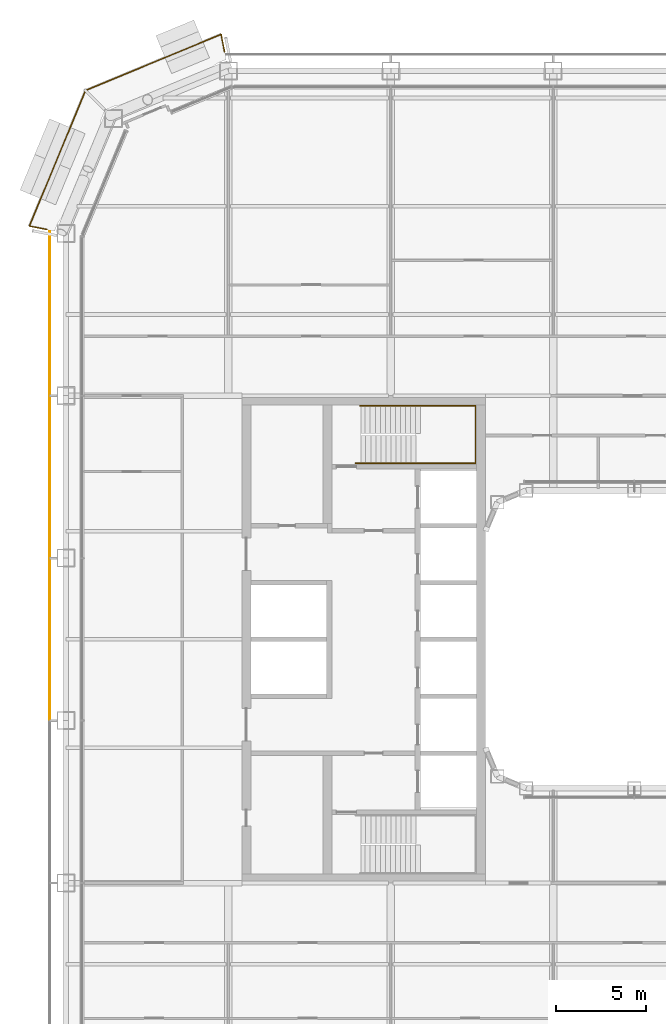
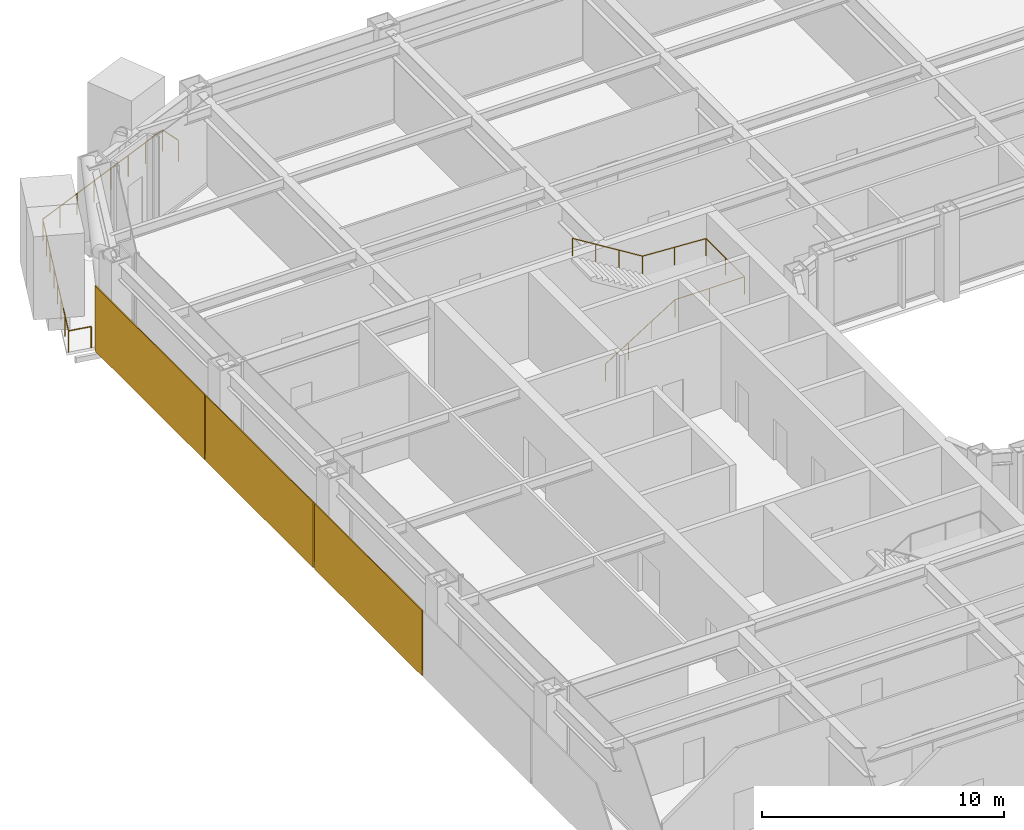
# One storey, part 25 of 28: 3 coverings, 2 railings.
"""IFC4 building model written with IfcOpenShell, lengths in metres."""

from ifc_helpers import new_model, si_unit, direction, frame, origin, origin_2d, place, context, subcontext, project, spatial, rectangle, circle, extrude, material, layer, layer_set, type_object, element, save


model = new_model("IFC4")

# Units and contexts
model_context = context("Model", 3, precision=1e-05, world=origin(), true_north=direction((0.0, 1.0)))
body_context = subcontext(model_context, "Body", "Model", "MODEL_VIEW")
ifc_project = project(units=[si_unit("LENGTHUNIT", "METRE"), si_unit("AREAUNIT", "SQUARE_METRE"), si_unit("VOLUMEUNIT", "CUBIC_METRE"), si_unit("PLANEANGLEUNIT", "RADIAN"), si_unit("MASSUNIT", "GRAM", prefix="KILO")], contexts=[model_context])

# Site, building, storey
site_placement = place(None, origin())
site = spatial("IfcSite", under=ifc_project, at=site_placement, CompositionType="ELEMENT")
building_placement = place(site_placement, origin())
building = spatial("IfcBuilding", under=site, at=building_placement, Name="Siwar Civic Tower", CompositionType="ELEMENT")
storey_placement = place(building_placement, frame((0.0, 0.0, 85.199951171875)))
storey = spatial("IfcBuildingStorey", under=building, at=storey_placement, Name="L18", CompositionType="ELEMENT", Elevation=85.199951171875)

# Railings
ifc_material_1 = material(Name="Stainless steel", Category="steel")
railing_type_1 = type_object("IfcRailingType", Name="CORE-STAIR-HANDRAIL", PredefinedType="HANDRAIL", material=ifc_material_1)
railing_1_placement = place(storey_placement, frame((-15.449951171875, 9.758056640625, 0.173095703125)))
element("IfcRailing", 1, at=railing_1_placement, inside=storey, type_object=railing_type_1, Name="Stair handrail ST1", PredefinedType="HANDRAIL", context=body_context, shape_type="SweptSolid", body=[
    extrude(circle(Radius=0.02001953125, at=origin_2d()), frame((0.0, 0.0, 0.8798828125), z_axis=(0.847063342986, 0.0, 0.531491950051), x_axis=(0.0, 1.0, 0.0)), (0.0, 0.0, 1.0), 3.90771484375),
    extrude(circle(Radius=0.02001953125, at=origin_2d()), frame((3.31005859375, 0.0, 2.956787109375), z_axis=(1.0, 0.0, 0.0), x_axis=(0.0, 1.0, 0.0)), (0.0, 0.0, 1.0), 3.331787109375),
    extrude(circle(Radius=0.02001953125, at=origin_2d()), frame((6.641845703125, 0.0, 2.956787109375), z_axis=(0.0, 1.0, 0.0), x_axis=(-1.0, 0.0, 0.0)), (0.0, 0.0, 1.0), 3.183837890625),
    extrude(circle(Radius=0.02001953125, at=origin_2d()), frame((6.641845703125, 3.183837890625, 2.956787109375), z_axis=(-0.99837434197, 0.0, 0.056997134106), x_axis=(0.0, -1.0, 0.0)), (0.0, 0.0, 1.0), 3.036865234375),
    extrude(circle(Radius=0.02001953125, at=origin_2d()), frame((3.60986328125, 3.183837890625, 3.1298828125), z_axis=(-0.850606129759, 0.0, 0.525803396734), x_axis=(0.0, -1.0, 0.0)), (0.0, 0.0, 1.0), 3.949951171875),
    extrude(circle(Radius=0.02001953125, at=origin_2d()), origin(), (0.0, 0.0, 1.0), 0.85986328125),
    extrude(circle(Radius=0.02001953125, at=origin_2d()), frame((1.103271484375, 0.0, 0.6923828125)), (0.0, 0.0, 1.0), 0.85986328125),
    extrude(circle(Radius=0.02001953125, at=origin_2d()), frame((2.206787109375, 0.0, 1.384521484375)), (0.0, 0.0, 1.0), 0.85986328125),
    extrude(circle(Radius=0.02001953125, at=origin_2d()), frame((3.31005859375, 0.0, 2.076904296875)), (0.0, 0.0, 1.0), 0.85986328125),
    extrude(circle(Radius=0.02001953125, at=origin_2d()), frame((4.97607421875, 0.0, 2.076904296875)), (0.0, 0.0, 1.0), 0.85986328125),
    extrude(circle(Radius=0.02001953125, at=origin_2d()), frame((6.641845703125, 0.0, 2.076904296875)), (0.0, 0.0, 1.0), 0.85986328125),
    extrude(circle(Radius=0.02001953125, at=origin_2d()), frame((6.641845703125, 1.591796875, 2.076904296875)), (0.0, 0.0, 1.0), 0.85986328125),
    extrude(circle(Radius=0.02001953125, at=origin_2d()), frame((6.641845703125, 3.183837890625, 2.076904296875)), (0.0, 0.0, 1.0), 0.85986328125),
    extrude(circle(Radius=0.02001953125, at=origin_2d()), frame((5.1259765625, 3.183837890625, 2.16357421875)), (0.0, 0.0, 1.0), 0.85986328125),
    extrude(circle(Radius=0.02001953125, at=origin_2d()), frame((3.60986328125, 3.183837890625, 2.25)), (0.0, 0.0, 1.0), 0.85986328125),
    extrude(circle(Radius=0.02001953125, at=origin_2d()), frame((2.489990234375, 3.183837890625, 2.9423828125)), (0.0, 0.0, 1.0), 0.85986328125),
    extrude(circle(Radius=0.02001953125, at=origin_2d()), frame((1.369873046875, 3.183837890625, 3.634521484375)), (0.0, 0.0, 1.0), 0.85986328125),
    extrude(circle(Radius=0.02001953125, at=origin_2d()), frame((0.25, 3.183837890625, 4.326904296875)), (0.0, 0.0, 1.0), 0.85986328125),
])
ifc_material_2 = material(Name="Stainless steel 316", Category="steel")
railing_type_2 = type_object("IfcRailingType", Name="ENV-GUARD", PredefinedType="GUARDRAIL", material=ifc_material_2)
railing_2_placement = place(storey_placement, frame((-22.708251953125, 32.547119140625, 0.0)))
element("IfcRailing", 2, at=railing_2_placement, inside=storey, type_object=railing_type_2, Name="Balcony guard NW", PredefinedType="GUARDRAIL", context=body_context, shape_type="SweptSolid", body=[
    extrude(circle(Radius=0.02392578125, at=origin_2d()), frame((0.0, 0.0, 1.076171875), z_axis=(-0.195123592472, 0.980778661911, 0.0), x_axis=(-0.980778661911, -0.195123592472, 0.0)), (0.0, 0.0, 1.0), 0.993408203125),
    extrude(circle(Radius=0.02392578125, at=origin_2d()), frame((-0.19384765625, 0.974365234375, 1.076171875), z_axis=(-0.924089256518, -0.382176720888, 0.0), x_axis=(0.382176720888, -0.924089256518, 0.0)), (0.0, 0.0, 1.0), 8.129638671875),
    extrude(circle(Radius=0.02392578125, at=origin_2d()), frame((-7.706298828125, -2.132568359375, 1.076171875), z_axis=(-0.382176720888, -0.924089256518, 0.0), x_axis=(0.924089256518, -0.382176720888, 0.0)), (0.0, 0.0, 1.0), 8.129638671875),
    extrude(circle(Radius=0.02392578125, at=origin_2d()), frame((-10.813232421875, -9.64501953125, 1.076171875), z_axis=(0.980778661911, -0.195123592472, 0.0), x_axis=(0.195123592472, 0.980778661911, 0.0)), (0.0, 0.0, 1.0), 0.993408203125),
    extrude(circle(Radius=0.02099609375, at=origin_2d()), origin(), (0.0, 0.0, 1.0), 1.052001953125),
    extrude(circle(Radius=0.02099609375, at=origin_2d()), frame((-0.19384765625, 0.974365234375, 0.0)), (0.0, 0.0, 1.0), 1.052001953125),
    extrude(circle(Radius=0.02099609375, at=origin_2d()), frame((-1.26708984375, 0.530517578125, 0.0)), (0.0, 0.0, 1.0), 1.052001953125),
    extrude(circle(Radius=0.02099609375, at=origin_2d()), frame((-2.34033203125, 0.086669921875, 0.0)), (0.0, 0.0, 1.0), 1.052001953125),
    extrude(circle(Radius=0.02099609375, at=origin_2d()), frame((-3.41357421875, -0.357177734375, 0.0)), (0.0, 0.0, 1.0), 1.052001953125),
    extrude(circle(Radius=0.02099609375, at=origin_2d()), frame((-4.486572265625, -0.801025390625, 0.0)), (0.0, 0.0, 1.0), 1.052001953125),
    extrude(circle(Radius=0.02099609375, at=origin_2d()), frame((-5.559814453125, -1.244873046875, 0.0)), (0.0, 0.0, 1.0), 1.052001953125),
    extrude(circle(Radius=0.02099609375, at=origin_2d()), frame((-6.633056640625, -1.688720703125, 0.0)), (0.0, 0.0, 1.0), 1.052001953125),
    extrude(circle(Radius=0.02099609375, at=origin_2d()), frame((-7.706298828125, -2.132568359375, 0.0)), (0.0, 0.0, 1.0), 1.052001953125),
    extrude(circle(Radius=0.02099609375, at=origin_2d()), frame((-8.150146484375, -3.205810546875, 0.0)), (0.0, 0.0, 1.0), 1.052001953125),
    extrude(circle(Radius=0.02099609375, at=origin_2d()), frame((-8.593994140625, -4.279052734375, 0.0)), (0.0, 0.0, 1.0), 1.052001953125),
    extrude(circle(Radius=0.02099609375, at=origin_2d()), frame((-9.037841796875, -5.352294921875, 0.0)), (0.0, 0.0, 1.0), 1.052001953125),
    extrude(circle(Radius=0.02099609375, at=origin_2d()), frame((-9.481689453125, -6.42529296875, 0.0)), (0.0, 0.0, 1.0), 1.052001953125),
    extrude(circle(Radius=0.02099609375, at=origin_2d()), frame((-9.925537109375, -7.49853515625, 0.0)), (0.0, 0.0, 1.0), 1.052001953125),
    extrude(circle(Radius=0.02099609375, at=origin_2d()), frame((-10.369384765625, -8.57177734375, 0.0)), (0.0, 0.0, 1.0), 1.052001953125),
    extrude(circle(Radius=0.02099609375, at=origin_2d()), frame((-10.813232421875, -9.64501953125, 0.0)), (0.0, 0.0, 1.0), 1.052001953125),
    extrude(circle(Radius=0.02099609375, at=origin_2d()), frame((-9.8388671875, -9.8388671875, 0.0)), (0.0, 0.0, 1.0), 1.052001953125),
])

# Coverings
ifc_material_3 = material(Name="Perforated aluminium cassette, pale metal", Category="aluminium")
ifc_layer = layer(ifc_material_3, 0.050048828125)
ifc_layer_set = layer_set([ifc_layer], Name="Perforated aluminium cassette, pale metal")
covering_type = type_object("IfcCoveringType", Name="ENV-OUTER SKIN OS-3", PredefinedType="CLADDING", material=ifc_layer_set)
covering_placement = place(storey_placement, frame((-32.39990234375, 18.07958984375, -0.14990234375), z_axis=(0.0, 0.0, 1.0), x_axis=(0.0, -1.0, 0.0)))
element("IfcCovering", 3, at=covering_placement, inside=storey, type_object=covering_type, Name="OUTER SKIN OS-3 W 1", PredefinedType="CLADDING", context=body_context, shape_type="SweptSolid", body=[
    extrude(rectangle(XDim=9.05908203125, YDim=0.050048828125, at=origin_2d()), origin(), (0.0, 0.0, 1.0), 3.300048828125),
])
for number, where, z_axis, x_axis, name in (
    (4, (-32.39990234375, 9.0, -0.14990234375), (0.0, 0.0, 1.0), (0.0, -1.0, 0.0), "OUTER SKIN OS-3 W 2"),
    (5, (-32.39990234375, 0.0, -0.14990234375), (0.0, 0.0, 1.0), (0.0, -1.0, 0.0), "OUTER SKIN OS-3 W 3"),
):
    element("IfcCovering", number, at=place(storey_placement, frame(where, z_axis=z_axis, x_axis=x_axis)), inside=storey, type_object=covering_type, Name=name, PredefinedType="CLADDING", context=body_context, shape_type="SweptSolid", body=[
        extrude(rectangle(XDim=8.89990234375, YDim=0.050048828125, at=origin_2d()), origin(), (0.0, 0.0, 1.0), 3.300048828125),
    ])

save(model, "model.ifc")
